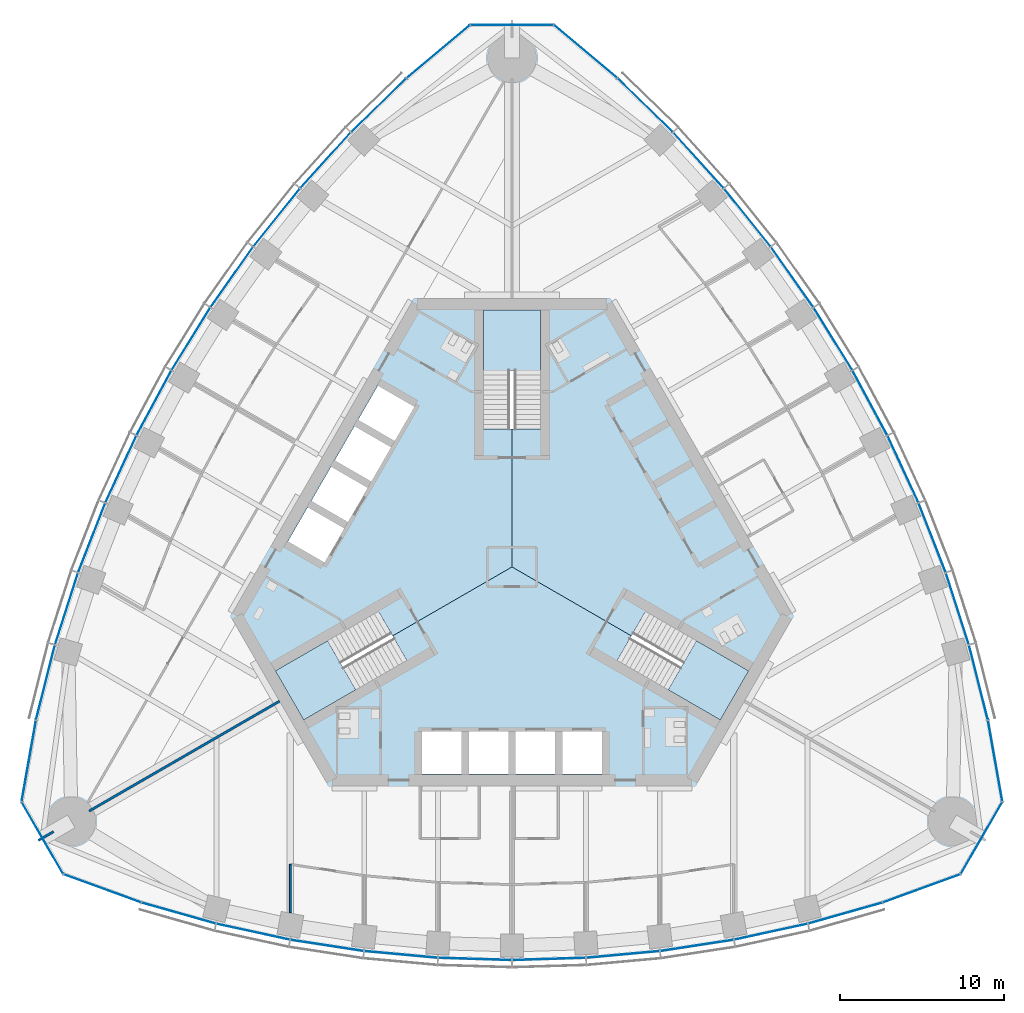
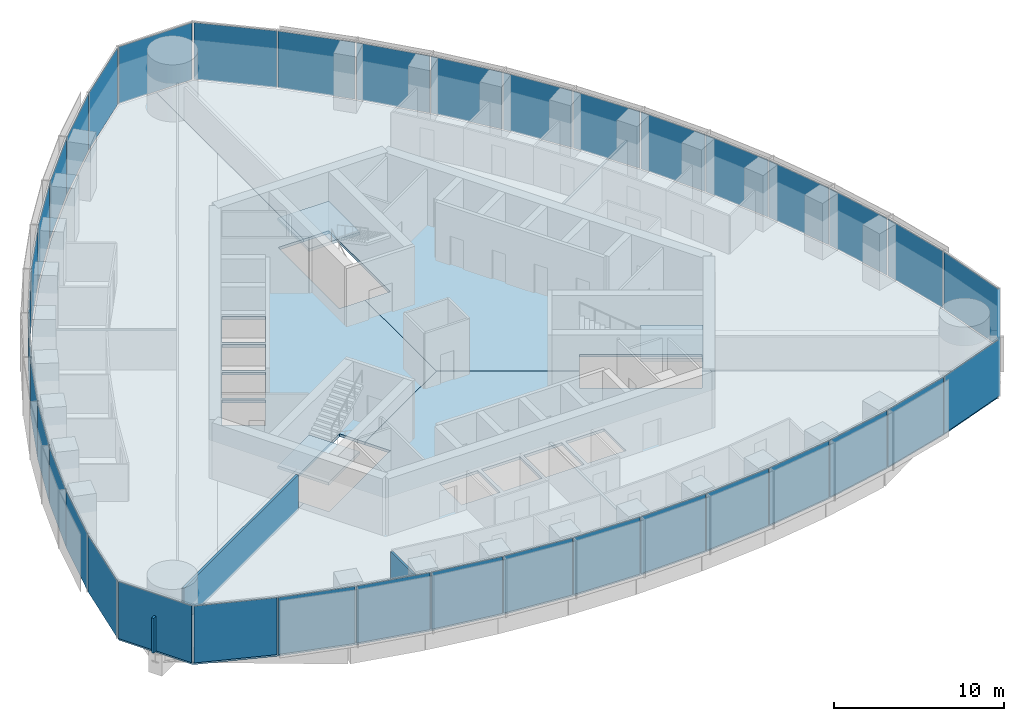
# One storey, part 7 of 16: 39 plates, 6 slabs, 3 walls, 9 elements without a shape of their own.
"""IFC4 building model written with IfcOpenShell, lengths in metres."""

from ifc_helpers import new_model, si_unit, direction, frame, frame_2d, origin, origin_2d, place, context, subcontext, project, spatial, polyline, rectangle, outline, extrude, material, layer, layer_set, type_object, element, aggregate, save


model = new_model("IFC4")

# Units and contexts
model_context = context("Model", 3, precision=1e-05, world=origin(), true_north=direction((0.0, 1.0)))
body_context = subcontext(model_context, "Body", "Model", "MODEL_VIEW")
ifc_project = project(units=[si_unit("LENGTHUNIT", "METRE"), si_unit("AREAUNIT", "SQUARE_METRE"), si_unit("VOLUMEUNIT", "CUBIC_METRE"), si_unit("PLANEANGLEUNIT", "RADIAN"), si_unit("MASSUNIT", "GRAM", prefix="KILO")], contexts=[model_context])

# Site, building, storey
site_placement = place(None, origin())
site = spatial("IfcSite", under=ifc_project, at=site_placement, CompositionType="ELEMENT")
building_placement = place(site_placement, origin())
building = spatial("IfcBuilding", under=site, at=building_placement, Name="Trefoil Bronze Tower", CompositionType="ELEMENT")
storey_placement = place(building_placement, frame((0.0, 0.0, 284.699951171875)))
storey = spatial("IfcBuildingStorey", under=building, at=storey_placement, Name="L65", CompositionType="ELEMENT", Elevation=284.699951171875)

# Curtain wall, plates
ifc_material_1 = material(Name="Tinted solar-control glass", Category="glass")
curtain_wall_type_1 = type_object("IfcCurtainWallType", Name="Bronze office curtain wall", PredefinedType="USERDEFINED", material=ifc_material_1)
curtain_wall_1_placement = place(storey_placement, origin())
curtain_wall_1 = element("IfcCurtainWall", 1, at=curtain_wall_1_placement, inside=storey, type_object=curtain_wall_type_1, Name="CW-A L65 F1", ObjectType="CURTAIN WALL", PredefinedType="USERDEFINED")
ifc_material_2 = material(Name="Tinted solar-control glass", Category="glass")
ifc_layer_1 = layer(ifc_material_2, 0.030029296875)
ifc_layer_set_1 = layer_set([ifc_layer_1], Name="Bronze office curtain wall glass panel")
plate_type_1 = type_object("IfcPlateType", Name="Bronze office curtain wall glass panel", PredefinedType="CURTAIN_PANEL", material=ifc_layer_set_1)
plate_1_placement = place(storey_placement, frame((-20.301513671875, -21.092529296875, 0.0), z_axis=(0.0, 0.0, 1.0), x_axis=(0.962097746943, -0.272704831875, 0.0)))
plate_1 = element("IfcPlate", 2, at=plate_1_placement, type_object=plate_type_1, Name="CW-A L65 F1 panel 1", PredefinedType="CURTAIN_PANEL", context=body_context, shape_type="SweptSolid", body=[
    extrude(rectangle(XDim=4.6474609375, YDim=0.030029296875, at=origin_2d()), origin(), (0.0, 0.0, 1.0), 4.080078125),
])
plate_2_placement = place(storey_placement, frame((-15.771240234375, -22.226318359375, 0.0), z_axis=(0.0, 0.0, 1.0), x_axis=(0.977303138829, -0.211845639168, 0.0)))
plate_2 = element("IfcPlate", 3, at=plate_2_placement, type_object=plate_type_1, Name="CW-A L65 F1 panel 2", PredefinedType="CURTAIN_PANEL", context=body_context, shape_type="SweptSolid", body=[
    extrude(rectangle(XDim=4.5244140625, YDim=0.030029296875, at=origin_2d()), origin(), (0.0, 0.0, 1.0), 4.080078125),
])
plate_3_placement = place(storey_placement, frame((-11.26513671875, -23.0595703125, 0.0), z_axis=(0.0, 0.0, 1.0), x_axis=(0.988485337216, -0.151316681529, 0.0)))
plate_3 = element("IfcPlate", 4, at=plate_3_placement, type_object=plate_type_1, Name="CW-A L65 F1 panel 3", PredefinedType="CURTAIN_PANEL", context=body_context, shape_type="SweptSolid", body=[
    extrude(rectangle(XDim=4.472412109375, YDim=0.030029296875, at=origin_2d()), origin(), (0.0, 0.0, 1.0), 4.080078125),
])
plate_4_placement = place(storey_placement, frame((-6.759033203125, -23.60986328125, 0.0), z_axis=(0.0, 0.0, 1.0), x_axis=(0.99587011625, -0.090789380212, 0.0)))
plate_4 = element("IfcPlate", 5, at=plate_4_placement, type_object=plate_type_1, Name="CW-A L65 F1 panel 4", PredefinedType="CURTAIN_PANEL", context=body_context, shape_type="SweptSolid", body=[
    extrude(rectangle(XDim=4.438720703125, YDim=0.030029296875, at=origin_2d()), origin(), (0.0, 0.0, 1.0), 4.080078125),
])
plate_5_placement = place(storey_placement, frame((-2.2529296875, -23.883544921875, 0.0), z_axis=(0.0, 0.0, 1.0), x_axis=(0.999541969785, -0.030263024264, 0.0)))
plate_5 = element("IfcPlate", 6, at=plate_5_placement, type_object=plate_type_1, Name="CW-A L65 F1 panel 5", PredefinedType="CURTAIN_PANEL", context=body_context, shape_type="SweptSolid", body=[
    extrude(rectangle(XDim=4.422119140625, YDim=0.030029296875, at=origin_2d()), origin(), (0.0, 0.0, 1.0), 4.080078125),
])
plate_6_placement = place(storey_placement, frame((2.2529296875, -23.883544921875, 0.0), z_axis=(0.0, 0.0, 1.0), x_axis=(0.999541969785, 0.030263024264, 0.0)))
plate_6 = element("IfcPlate", 7, at=plate_6_placement, type_object=plate_type_1, Name="CW-A L65 F1 panel 6", PredefinedType="CURTAIN_PANEL", context=body_context, shape_type="SweptSolid", body=[
    extrude(rectangle(XDim=4.422119140625, YDim=0.030029296875, at=origin_2d()), origin(), (0.0, 0.0, 1.0), 4.080078125),
])
plate_7_placement = place(storey_placement, frame((6.759033203125, -23.60986328125, 0.0), z_axis=(0.0, 0.0, 1.0), x_axis=(0.99587011625, 0.090789380212, 0.0)))
plate_7 = element("IfcPlate", 8, at=plate_7_placement, type_object=plate_type_1, Name="CW-A L65 F1 panel 7", PredefinedType="CURTAIN_PANEL", context=body_context, shape_type="SweptSolid", body=[
    extrude(rectangle(XDim=4.438720703125, YDim=0.030029296875, at=origin_2d()), origin(), (0.0, 0.0, 1.0), 4.080078125),
])
plate_8_placement = place(storey_placement, frame((11.26513671875, -23.0595703125, 0.0), z_axis=(0.0, 0.0, 1.0), x_axis=(0.988485337216, 0.151316681529, 0.0)))
plate_8 = element("IfcPlate", 9, at=plate_8_placement, type_object=plate_type_1, Name="CW-A L65 F1 panel 8", PredefinedType="CURTAIN_PANEL", context=body_context, shape_type="SweptSolid", body=[
    extrude(rectangle(XDim=4.472412109375, YDim=0.030029296875, at=origin_2d()), origin(), (0.0, 0.0, 1.0), 4.080078125),
])
plate_9_placement = place(storey_placement, frame((15.771240234375, -22.226318359375, 0.0), z_axis=(0.0, 0.0, 1.0), x_axis=(0.977303138829, 0.211845639168, 0.0)))
plate_9 = element("IfcPlate", 10, at=plate_9_placement, type_object=plate_type_1, Name="CW-A L65 F1 panel 9", PredefinedType="CURTAIN_PANEL", context=body_context, shape_type="SweptSolid", body=[
    extrude(rectangle(XDim=4.5244140625, YDim=0.030029296875, at=origin_2d()), origin(), (0.0, 0.0, 1.0), 4.080078125),
])
plate_10_placement = place(storey_placement, frame((20.301513671875, -21.092529296875, 0.0), z_axis=(0.0, 0.0, 1.0), x_axis=(0.962097746943, 0.272704831875, 0.0)))
plate_10 = element("IfcPlate", 11, at=plate_10_placement, type_object=plate_type_1, Name="CW-A L65 F1 panel 10", PredefinedType="CURTAIN_PANEL", context=body_context, shape_type="SweptSolid", body=[
    extrude(rectangle(XDim=4.6474609375, YDim=0.030029296875, at=origin_2d()), origin(), (0.0, 0.0, 1.0), 4.080078125),
])
aggregate(curtain_wall_1, [plate_1, plate_2, plate_3, plate_4, plate_5, plate_6, plate_7, plate_8, plate_9, plate_10])

curtain_wall_2_placement = place(storey_placement, origin())
curtain_wall_2 = element("IfcCurtainWall", 12, at=curtain_wall_2_placement, inside=storey, type_object=curtain_wall_type_1, Name="CW-A L65 F2", ObjectType="CURTAIN WALL", PredefinedType="USERDEFINED")
plate_11_placement = place(storey_placement, frame((28.417236328125, -7.035400390625, 0.0), z_axis=(0.0, 0.0, 1.0), x_axis=(-0.244879561333, 0.969553505713, 0.0)))
plate_11 = element("IfcPlate", 13, at=plate_11_placement, type_object=plate_type_1, Name="CW-A L65 F2 panel 1", PredefinedType="CURTAIN_PANEL", context=body_context, shape_type="SweptSolid", body=[
    extrude(rectangle(XDim=4.6474609375, YDim=0.030029296875, at=origin_2d()), origin(), (0.0, 0.0, 1.0), 4.080078125),
])
plate_12_placement = place(storey_placement, frame((27.134033203125, -2.545166015625, 0.0), z_axis=(0.0, 0.0, 1.0), x_axis=(-0.305187864214, 0.952292165009, 0.0)))
plate_12 = element("IfcPlate", 14, at=plate_12_placement, type_object=plate_type_1, Name="CW-A L65 F2 panel 2", PredefinedType="CURTAIN_PANEL", context=body_context, shape_type="SweptSolid", body=[
    extrude(rectangle(XDim=4.5244140625, YDim=0.030029296875, at=origin_2d()), origin(), (0.0, 0.0, 1.0), 4.080078125),
])
plate_13_placement = place(storey_placement, frame((25.602783203125, 1.77392578125, 0.0), z_axis=(0.0, 0.0, 1.0), x_axis=(-0.363198578387, 0.931711754062, 0.0)))
plate_13 = element("IfcPlate", 15, at=plate_13_placement, type_object=plate_type_1, Name="CW-A L65 F2 panel 3", PredefinedType="CURTAIN_PANEL", context=body_context, shape_type="SweptSolid", body=[
    extrude(rectangle(XDim=4.472412109375, YDim=0.030029296875, at=origin_2d()), origin(), (0.0, 0.0, 1.0), 4.080078125),
])
plate_14_placement = place(storey_placement, frame((23.826171875, 5.951416015625, 0.0), z_axis=(0.0, 0.0, 1.0), x_axis=(-0.419309148468, 0.907843509649, 0.0)))
plate_14 = element("IfcPlate", 16, at=plate_14_placement, type_object=plate_type_1, Name="CW-A L65 F2 panel 4", PredefinedType="CURTAIN_PANEL", context=body_context, shape_type="SweptSolid", body=[
    extrude(rectangle(XDim=4.438720703125, YDim=0.030029296875, at=origin_2d()), origin(), (0.0, 0.0, 1.0), 4.080078125),
])
plate_15_placement = place(storey_placement, frame((21.81005859375, 9.990478515625, 0.0), z_axis=(0.0, 0.0, 1.0), x_axis=(-0.473562437085, 0.880760250115, 0.0)))
plate_15 = element("IfcPlate", 17, at=plate_15_placement, type_object=plate_type_1, Name="CW-A L65 F2 panel 5", PredefinedType="CURTAIN_PANEL", context=body_context, shape_type="SweptSolid", body=[
    extrude(rectangle(XDim=4.422119140625, YDim=0.030029296875, at=origin_2d()), origin(), (0.0, 0.0, 1.0), 4.080078125),
])
plate_16_placement = place(storey_placement, frame((19.55712890625, 13.892822265625, 0.0), z_axis=(0.0, 0.0, 1.0), x_axis=(-0.525979532701, 0.850497225851, 0.0)))
plate_16 = element("IfcPlate", 18, at=plate_16_placement, type_object=plate_type_1, Name="CW-A L65 F2 panel 6", PredefinedType="CURTAIN_PANEL", context=body_context, shape_type="SweptSolid", body=[
    extrude(rectangle(XDim=4.422119140625, YDim=0.030029296875, at=origin_2d()), origin(), (0.0, 0.0, 1.0), 4.080078125),
])
plate_17_placement = place(storey_placement, frame((17.067138671875, 17.658447265625, 0.0), z_axis=(0.0, 0.0, 1.0), x_axis=(-0.576560967783, 0.817054129437, 0.0)))
plate_17 = element("IfcPlate", 19, at=plate_17_placement, type_object=plate_type_1, Name="CW-A L65 F2 panel 7", PredefinedType="CURTAIN_PANEL", context=body_context, shape_type="SweptSolid", body=[
    extrude(rectangle(XDim=4.438720703125, YDim=0.030029296875, at=origin_2d()), origin(), (0.0, 0.0, 1.0), 4.080078125),
])
plate_18_placement = place(storey_placement, frame((14.337646484375, 21.28564453125, 0.0), z_axis=(0.0, 0.0, 1.0), x_axis=(-0.625286758829, 0.780395072533, 0.0)))
plate_18 = element("IfcPlate", 20, at=plate_18_placement, type_object=plate_type_1, Name="CW-A L65 F2 panel 8", PredefinedType="CURTAIN_PANEL", context=body_context, shape_type="SweptSolid", body=[
    extrude(rectangle(XDim=4.472412109375, YDim=0.030029296875, at=origin_2d()), origin(), (0.0, 0.0, 1.0), 4.080078125),
])
plate_19_placement = place(storey_placement, frame((11.36279296875, 24.771484375, 0.0), z_axis=(0.0, 0.0, 1.0), x_axis=(-0.672115274615, 0.74044652584, 0.0)))
plate_19 = element("IfcPlate", 21, at=plate_19_placement, type_object=plate_type_1, Name="CW-A L65 F2 panel 9", PredefinedType="CURTAIN_PANEL", context=body_context, shape_type="SweptSolid", body=[
    extrude(rectangle(XDim=4.5244140625, YDim=0.030029296875, at=origin_2d()), origin(), (0.0, 0.0, 1.0), 4.080078125),
])
plate_20_placement = place(storey_placement, frame((8.115966796875, 28.127685546875, 0.0), z_axis=(0.0, 0.0, 1.0), x_axis=(-0.71721818561, 0.696848673839, 0.0)))
plate_20 = element("IfcPlate", 22, at=plate_20_placement, type_object=plate_type_1, Name="CW-A L65 F2 panel 10", PredefinedType="CURTAIN_PANEL", context=body_context, shape_type="SweptSolid", body=[
    extrude(rectangle(XDim=4.6474609375, YDim=0.030029296875, at=origin_2d()), origin(), (0.0, 0.0, 1.0), 4.080078125),
])
aggregate(curtain_wall_2, [plate_11, plate_12, plate_13, plate_14, plate_15, plate_16, plate_17, plate_18, plate_19, plate_20])

curtain_wall_3_placement = place(storey_placement, origin())
curtain_wall_3 = element("IfcCurtainWall", 23, at=curtain_wall_3_placement, inside=storey, type_object=curtain_wall_type_1, Name="CW-A L65 F3", ObjectType="CURTAIN WALL", PredefinedType="USERDEFINED")
plate_21_placement = place(storey_placement, frame((-8.115966796875, 28.127685546875, 0.0), z_axis=(0.0, 0.0, 1.0), x_axis=(-0.71721818561, -0.696848673839, 0.0)))
plate_21 = element("IfcPlate", 24, at=plate_21_placement, type_object=plate_type_1, Name="CW-A L65 F3 panel 1", PredefinedType="CURTAIN_PANEL", context=body_context, shape_type="SweptSolid", body=[
    extrude(rectangle(XDim=4.6474609375, YDim=0.030029296875, at=origin_2d()), origin(), (0.0, 0.0, 1.0), 4.080078125),
])
plate_22_placement = place(storey_placement, frame((-11.36279296875, 24.771484375, 0.0), z_axis=(0.0, 0.0, 1.0), x_axis=(-0.672115274615, -0.74044652584, 0.0)))
plate_22 = element("IfcPlate", 25, at=plate_22_placement, type_object=plate_type_1, Name="CW-A L65 F3 panel 2", PredefinedType="CURTAIN_PANEL", context=body_context, shape_type="SweptSolid", body=[
    extrude(rectangle(XDim=4.5244140625, YDim=0.030029296875, at=origin_2d()), origin(), (0.0, 0.0, 1.0), 4.080078125),
])
plate_23_placement = place(storey_placement, frame((-14.337646484375, 21.28564453125, 0.0), z_axis=(0.0, 0.0, 1.0), x_axis=(-0.625286758829, -0.780395072533, 0.0)))
plate_23 = element("IfcPlate", 26, at=plate_23_placement, type_object=plate_type_1, Name="CW-A L65 F3 panel 3", PredefinedType="CURTAIN_PANEL", context=body_context, shape_type="SweptSolid", body=[
    extrude(rectangle(XDim=4.472412109375, YDim=0.030029296875, at=origin_2d()), origin(), (0.0, 0.0, 1.0), 4.080078125),
])
plate_24_placement = place(storey_placement, frame((-17.067138671875, 17.658447265625, 0.0), z_axis=(0.0, 0.0, 1.0), x_axis=(-0.576560967783, -0.817054129437, 0.0)))
plate_24 = element("IfcPlate", 27, at=plate_24_placement, type_object=plate_type_1, Name="CW-A L65 F3 panel 4", PredefinedType="CURTAIN_PANEL", context=body_context, shape_type="SweptSolid", body=[
    extrude(rectangle(XDim=4.438720703125, YDim=0.030029296875, at=origin_2d()), origin(), (0.0, 0.0, 1.0), 4.080078125),
])
plate_25_placement = place(storey_placement, frame((-19.55712890625, 13.892822265625, 0.0), z_axis=(0.0, 0.0, 1.0), x_axis=(-0.525979532701, -0.850497225851, 0.0)))
plate_25 = element("IfcPlate", 28, at=plate_25_placement, type_object=plate_type_1, Name="CW-A L65 F3 panel 5", PredefinedType="CURTAIN_PANEL", context=body_context, shape_type="SweptSolid", body=[
    extrude(rectangle(XDim=4.422119140625, YDim=0.030029296875, at=origin_2d()), origin(), (0.0, 0.0, 1.0), 4.080078125),
])
plate_26_placement = place(storey_placement, frame((-21.81005859375, 9.990478515625, 0.0), z_axis=(0.0, 0.0, 1.0), x_axis=(-0.473562437085, -0.880760250115, 0.0)))
plate_26 = element("IfcPlate", 29, at=plate_26_placement, type_object=plate_type_1, Name="CW-A L65 F3 panel 6", PredefinedType="CURTAIN_PANEL", context=body_context, shape_type="SweptSolid", body=[
    extrude(rectangle(XDim=4.422119140625, YDim=0.030029296875, at=origin_2d()), origin(), (0.0, 0.0, 1.0), 4.080078125),
])
plate_27_placement = place(storey_placement, frame((-23.826171875, 5.951416015625, 0.0), z_axis=(0.0, 0.0, 1.0), x_axis=(-0.419309148468, -0.907843509649, 0.0)))
plate_27 = element("IfcPlate", 30, at=plate_27_placement, type_object=plate_type_1, Name="CW-A L65 F3 panel 7", PredefinedType="CURTAIN_PANEL", context=body_context, shape_type="SweptSolid", body=[
    extrude(rectangle(XDim=4.438720703125, YDim=0.030029296875, at=origin_2d()), origin(), (0.0, 0.0, 1.0), 4.080078125),
])
plate_28_placement = place(storey_placement, frame((-25.602783203125, 1.77392578125, 0.0), z_axis=(0.0, 0.0, 1.0), x_axis=(-0.363198578387, -0.931711754062, 0.0)))
plate_28 = element("IfcPlate", 31, at=plate_28_placement, type_object=plate_type_1, Name="CW-A L65 F3 panel 8", PredefinedType="CURTAIN_PANEL", context=body_context, shape_type="SweptSolid", body=[
    extrude(rectangle(XDim=4.472412109375, YDim=0.030029296875, at=origin_2d()), origin(), (0.0, 0.0, 1.0), 4.080078125),
])
plate_29_placement = place(storey_placement, frame((-27.134033203125, -2.545166015625, 0.0), z_axis=(0.0, 0.0, 1.0), x_axis=(-0.305187864214, -0.952292165009, 0.0)))
plate_29 = element("IfcPlate", 32, at=plate_29_placement, type_object=plate_type_1, Name="CW-A L65 F3 panel 9", PredefinedType="CURTAIN_PANEL", context=body_context, shape_type="SweptSolid", body=[
    extrude(rectangle(XDim=4.5244140625, YDim=0.030029296875, at=origin_2d()), origin(), (0.0, 0.0, 1.0), 4.080078125),
])
plate_30_placement = place(storey_placement, frame((-28.417236328125, -7.035400390625, 0.0), z_axis=(0.0, 0.0, 1.0), x_axis=(-0.244879561333, -0.969553505713, 0.0)))
plate_30 = element("IfcPlate", 33, at=plate_30_placement, type_object=plate_type_1, Name="CW-A L65 F3 panel 10", PredefinedType="CURTAIN_PANEL", context=body_context, shape_type="SweptSolid", body=[
    extrude(rectangle(XDim=4.6474609375, YDim=0.030029296875, at=origin_2d()), origin(), (0.0, 0.0, 1.0), 4.080078125),
])
aggregate(curtain_wall_3, [plate_21, plate_22, plate_23, plate_24, plate_25, plate_26, plate_27, plate_28, plate_29, plate_30])

ifc_material_3 = material(Name="Tinted solar-control glass", Category="glass")
curtain_wall_type_2 = type_object("IfcCurtainWallType", Name="Bronze rounded corner curtain wall", PredefinedType="USERDEFINED", material=ifc_material_3)
curtain_wall_4_placement = place(storey_placement, origin())
curtain_wall_4 = element("IfcCurtainWall", 34, at=curtain_wall_4_placement, inside=storey, type_object=curtain_wall_type_2, Name="CW-B L65 K1", ObjectType="CURTAIN WALL", PredefinedType="USERDEFINED")
ifc_material_4 = material(Name="Tinted solar-control glass", Category="glass")
ifc_layer_2 = layer(ifc_material_4, 0.030029296875)
ifc_layer_set_2 = layer_set([ifc_layer_2], Name="Bronze rounded corner curtain wall glass panel")
plate_type_2 = type_object("IfcPlateType", Name="Bronze rounded corner curtain wall glass panel", PredefinedType="CURTAIN_PANEL", material=ifc_layer_set_2)
plate_31_placement = place(storey_placement, frame((24.939453125, -19.587646484375, 0.0), z_axis=(0.0, 0.0, 1.0), x_axis=(0.939692620786, 0.342020143326, 0.0)))
plate_31 = element("IfcPlate", 35, at=plate_31_placement, type_object=plate_type_2, Name="CW-B L65 K1 panel 1", PredefinedType="CURTAIN_PANEL", context=body_context, shape_type="SweptSolid", body=[
    extrude(rectangle(XDim=4.956298828125, YDim=0.030029296875, at=origin_2d()), origin(), (0.0, 0.0, 1.0), 4.080078125),
])
plate_32_placement = place(storey_placement, frame((28.602783203125, -16.513916015625, 0.0), z_axis=(0.0, 0.0, 1.0), x_axis=(0.5, 0.866025403784, 0.0)))
plate_32 = element("IfcPlate", 36, at=plate_32_placement, type_object=plate_type_2, Name="CW-B L65 K1 panel 2", PredefinedType="CURTAIN_PANEL", context=body_context, shape_type="SweptSolid", body=[
    extrude(rectangle(XDim=4.956298828125, YDim=0.030029296875, at=origin_2d()), origin(), (0.0, 0.0, 1.0), 4.080078125),
])
plate_33_placement = place(storey_placement, frame((29.43310546875, -11.80419921875, 0.0), z_axis=(0.0, 0.0, 1.0), x_axis=(-0.173648177667, 0.984807753012, 0.0)))
plate_33 = element("IfcPlate", 37, at=plate_33_placement, type_object=plate_type_2, Name="CW-B L65 K1 panel 3", PredefinedType="CURTAIN_PANEL", context=body_context, shape_type="SweptSolid", body=[
    extrude(rectangle(XDim=4.956298828125, YDim=0.030029296875, at=origin_2d()), origin(), (0.0, 0.0, 1.0), 4.080078125),
])
aggregate(curtain_wall_4, [plate_31, plate_32, plate_33])

curtain_wall_5_placement = place(storey_placement, origin())
curtain_wall_5 = element("IfcCurtainWall", 38, at=curtain_wall_5_placement, inside=storey, type_object=curtain_wall_type_2, Name="CW-B L65 K2", ObjectType="CURTAIN WALL", PredefinedType="USERDEFINED")
plate_34_placement = place(storey_placement, frame((4.493896484375, 31.39208984375, 0.0), z_axis=(0.0, 0.0, 1.0), x_axis=(-0.766044443119, 0.642787609687, 0.0)))
plate_34 = element("IfcPlate", 39, at=plate_34_placement, type_object=plate_type_2, Name="CW-B L65 K2 panel 1", PredefinedType="CURTAIN_PANEL", context=body_context, shape_type="SweptSolid", body=[
    extrude(rectangle(XDim=4.956298828125, YDim=0.030029296875, at=origin_2d()), origin(), (0.0, 0.0, 1.0), 4.080078125),
])
plate_35_placement = place(storey_placement, frame((0.0, 33.027587890625, 0.0), z_axis=(0.0, 0.0, 1.0), x_axis=(-1.0, 0.0, 0.0)))
plate_35 = element("IfcPlate", 40, at=plate_35_placement, type_object=plate_type_2, Name="CW-B L65 K2 panel 2", PredefinedType="CURTAIN_PANEL", context=body_context, shape_type="SweptSolid", body=[
    extrude(rectangle(XDim=4.956298828125, YDim=0.030029296875, at=origin_2d()), origin(), (0.0, 0.0, 1.0), 4.080078125),
])
plate_36_placement = place(storey_placement, frame((-4.493896484375, 31.39208984375, 0.0), z_axis=(0.0, 0.0, 1.0), x_axis=(-0.766044443119, -0.642787609687, 0.0)))
plate_36 = element("IfcPlate", 41, at=plate_36_placement, type_object=plate_type_2, Name="CW-B L65 K2 panel 3", PredefinedType="CURTAIN_PANEL", context=body_context, shape_type="SweptSolid", body=[
    extrude(rectangle(XDim=4.956298828125, YDim=0.030029296875, at=origin_2d()), origin(), (0.0, 0.0, 1.0), 4.080078125),
])
aggregate(curtain_wall_5, [plate_34, plate_35, plate_36])

curtain_wall_6_placement = place(storey_placement, origin())
curtain_wall_6 = element("IfcCurtainWall", 42, at=curtain_wall_6_placement, inside=storey, type_object=curtain_wall_type_2, Name="CW-B L65 K3", ObjectType="CURTAIN WALL", PredefinedType="USERDEFINED")
plate_37_placement = place(storey_placement, frame((-29.43310546875, -11.80419921875, 0.0), z_axis=(0.0, 0.0, 1.0), x_axis=(-0.173648177667, -0.984807753012, 0.0)))
plate_37 = element("IfcPlate", 43, at=plate_37_placement, type_object=plate_type_2, Name="CW-B L65 K3 panel 1", PredefinedType="CURTAIN_PANEL", context=body_context, shape_type="SweptSolid", body=[
    extrude(rectangle(XDim=4.956298828125, YDim=0.030029296875, at=origin_2d()), origin(), (0.0, 0.0, 1.0), 4.080078125),
])
plate_38_placement = place(storey_placement, frame((-28.602783203125, -16.513916015625, 0.0), z_axis=(0.0, 0.0, 1.0), x_axis=(0.5, -0.866025403784, 0.0)))
plate_38 = element("IfcPlate", 44, at=plate_38_placement, type_object=plate_type_2, Name="CW-B L65 K3 panel 2", PredefinedType="CURTAIN_PANEL", context=body_context, shape_type="SweptSolid", body=[
    extrude(rectangle(XDim=4.956298828125, YDim=0.030029296875, at=origin_2d()), origin(), (0.0, 0.0, 1.0), 4.080078125),
])
plate_39_placement = place(storey_placement, frame((-24.939453125, -19.587646484375, 0.0), z_axis=(0.0, 0.0, 1.0), x_axis=(0.939692620786, -0.342020143326, 0.0)))
plate_39 = element("IfcPlate", 45, at=plate_39_placement, type_object=plate_type_2, Name="CW-B L65 K3 panel 3", PredefinedType="CURTAIN_PANEL", context=body_context, shape_type="SweptSolid", body=[
    extrude(rectangle(XDim=4.956298828125, YDim=0.030029296875, at=origin_2d()), origin(), (0.0, 0.0, 1.0), 4.080078125),
])
aggregate(curtain_wall_6, [plate_37, plate_38, plate_39])

# Slabs
ifc_material_5 = material(Name="Concrete B30", Category="concrete")
ifc_layer_3 = layer(ifc_material_5, 0.199951171875)
ifc_layer_set_3 = layer_set([ifc_layer_3], Name="Floor slab 200")
slab_type_1 = type_object("IfcSlabType", Name="Floor slab 200", PredefinedType="FLOOR", material=ifc_layer_set_3)
slab_1_placement = place(storey_placement, frame((0.0, 0.0, -0.199951171875)))
element("IfcSlab", 46, at=slab_1_placement, inside=storey, type_object=slab_type_1, Name="Floor slab L65 face 1", PredefinedType="FLOOR", context=body_context, shape_type="SweptSolid", body=[
    extrude(outline(polyline([(13.5, -22.6162109375), (9.0, -23.30517578125), (4.5, -23.71533203125), (0.0, -23.8515625), (-4.5, -23.71533203125), (-9.0, -23.30517578125), (-13.5, -22.6162109375), (-18.0, -21.640869140625), (-22.54833984375, -20.3515625), (-27.261962890625, -18.635986328125), (-28.51611328125, -16.4638671875), (-13.510009765625, -7.800048828125), (-12.6474609375, -9.2939453125), (-6.412109375, -5.69384765625), (-7.274658203125, -4.199951171875), (0.0, 0.0), (7.274658203125, -4.199951171875), (6.412109375, -5.69384765625), (12.6474609375, -9.2939453125), (13.510009765625, -7.800048828125), (28.51611328125, -16.4638671875), (27.261962890625, -18.635986328125), (22.54833984375, -20.3515625), (18.0, -21.640869140625), (13.5, -22.6162109375)]), holes=[polyline([(-5.574951171875, -10.02490234375), (-2.97509765625, -10.02490234375), (-2.97509765625, -12.60009765625), (-5.574951171875, -12.60009765625), (-5.574951171875, -10.02490234375)]), polyline([(-2.72509765625, -10.02490234375), (-0.125, -10.02490234375), (-0.125, -12.60009765625), (-2.72509765625, -12.60009765625), (-2.72509765625, -10.02490234375)]), polyline([(0.125, -10.02490234375), (2.72509765625, -10.02490234375), (2.72509765625, -12.60009765625), (0.125, -12.60009765625), (0.125, -10.02490234375)]), polyline([(2.97509765625, -10.02490234375), (5.574951171875, -10.02490234375), (5.574951171875, -12.60009765625), (2.97509765625, -12.60009765625), (2.97509765625, -10.02490234375)])]), origin(), (0.0, 0.0, 1.0), 0.199951171875),
])
slab_2_placement = place(storey_placement, frame((0.0, 0.0, -0.199951171875)))
element("IfcSlab", 47, at=slab_2_placement, inside=storey, type_object=slab_type_1, Name="Floor slab L65 face 2", PredefinedType="FLOOR", context=body_context, shape_type="SweptSolid", body=[
    extrude(outline(polyline([(12.836181640625, 22.99951171875), (15.682861328125, 19.44677734375), (18.2880859375, 15.7548828125), (20.656005859375, 11.92578125), (22.7880859375, 7.96044921875), (24.682861328125, 3.8583984375), (26.336181640625, -0.38330078125), (27.741455078125, -4.76806640625), (28.899169921875, -9.3515625), (29.770263671875, -14.291748046875), (28.51611328125, -16.4638671875), (13.510009765625, -7.800048828125), (14.37255859375, -6.30615234375), (8.13720703125, -2.7060546875), (7.274658203125, -4.199951171875), (0.0, 0.0), (0.0, 8.39990234375), (1.72509765625, 8.39990234375), (1.72509765625, 15.60009765625), (0.0, 15.60009765625), (0.0, 32.927490234375), (2.508056640625, 32.927490234375), (6.350830078125, 29.703125), (9.741455078125, 26.408935546875), (12.836181640625, 22.99951171875)])), origin(), (0.0, 0.0, 1.0), 0.199951171875),
])
slab_3_placement = place(storey_placement, frame((0.0, 0.0, -0.199951171875)))
element("IfcSlab", 48, at=slab_3_placement, inside=storey, type_object=slab_type_1, Name="Floor slab L65 face 3", PredefinedType="FLOOR", context=body_context, shape_type="SweptSolid", body=[
    extrude(outline(polyline([(-26.336181640625, -0.38330078125), (-24.682861328125, 3.8583984375), (-22.7880859375, 7.96044921875), (-20.656005859375, 11.92578125), (-18.2880859375, 15.7548828125), (-15.682861328125, 19.44677734375), (-12.836181640625, 22.99951171875), (-9.741455078125, 26.408935546875), (-6.350830078125, 29.703125), (-2.508056640625, 32.927490234375), (0.0, 32.927490234375), (0.0, 15.60009765625), (-1.72509765625, 15.60009765625), (-1.72509765625, 8.39990234375), (0.0, 8.39990234375), (0.0, 0.0), (-7.274658203125, -4.199951171875), (-8.13720703125, -2.7060546875), (-14.37255859375, -6.30615234375), (-13.510009765625, -7.800048828125), (-28.51611328125, -16.4638671875), (-29.770263671875, -14.291748046875), (-28.899169921875, -9.3515625), (-27.741455078125, -4.76806640625), (-26.336181640625, -0.38330078125)]), holes=[polyline([(-5.894287109375, 9.840576171875), (-7.1943359375, 7.5888671875), (-9.42431640625, 8.87646484375), (-8.12451171875, 11.128173828125), (-5.894287109375, 9.840576171875)]), polyline([(-7.3193359375, 7.372314453125), (-8.619384765625, 5.120849609375), (-10.849365234375, 6.408203125), (-9.54931640625, 8.659912109375), (-7.3193359375, 7.372314453125)]), polyline([(-8.744384765625, 4.904296875), (-10.04443359375, 2.652587890625), (-12.2744140625, 3.940185546875), (-10.974365234375, 6.191650390625), (-8.744384765625, 4.904296875)]), polyline([(-10.16943359375, 2.43603515625), (-11.469482421875, 0.184326171875), (-13.699462890625, 1.471923828125), (-12.3994140625, 3.7236328125), (-10.16943359375, 2.43603515625)])]), origin(), (0.0, 0.0, 1.0), 0.199951171875),
])

# Stair, slab
ifc_material_6 = material(Name="Precast concrete B80", Category="concrete")
stair_type = type_object("IfcStairType", Name="Exit stair 26 risers", PredefinedType="HALF_TURN_STAIR", material=ifc_material_6)
stair_1_placement = place(storey_placement, origin())
stair_1 = element("IfcStair", 49, at=stair_1_placement, inside=storey, type_object=stair_type, Name="Stair ST1 L65", PredefinedType="HALF_TURN_STAIR")
ifc_material_7 = material(Name="Concrete B30", Category="concrete")
ifc_layer_4 = layer(ifc_material_7, 0.199951171875)
ifc_layer_set_4 = layer_set([ifc_layer_4], Name="Stair landing 200")
slab_type_2 = type_object("IfcSlabType", Name="Stair landing 200", PredefinedType="LANDING", material=ifc_layer_set_4)
slab_4_placement = place(storey_placement, frame((0.0, 0.0, 1.900146484375)))
slab_4 = element("IfcSlab", 50, at=slab_4_placement, type_object=slab_type_2, Name="ST1 landing 1", PredefinedType="LANDING", context=body_context, shape_type="SweptSolid", body=[
    extrude(outline(polyline([(9.512451171875, -7.48388671875), (12.69091796875, -9.31884765625), (14.415771484375, -6.3310546875), (11.237548828125, -4.49609375), (9.512451171875, -7.48388671875)])), origin(), (0.0, 0.0, 1.0), 0.199951171875),
])
aggregate(stair_1, [slab_4])

stair_2_placement = place(storey_placement, origin())
stair_2 = element("IfcStair", 51, at=stair_2_placement, inside=storey, type_object=stair_type, Name="Stair ST2 L65", PredefinedType="HALF_TURN_STAIR")
slab_5_placement = place(storey_placement, frame((0.0, 0.0, 1.900146484375)))
slab_5 = element("IfcSlab", 52, at=slab_5_placement, type_object=slab_type_2, Name="ST2 landing 1", PredefinedType="LANDING", context=body_context, shape_type="SweptSolid", body=[
    extrude(outline(polyline([(1.72509765625, 11.97998046875), (1.72509765625, 15.64990234375), (-1.72509765625, 15.64990234375), (-1.72509765625, 11.97998046875), (1.72509765625, 11.97998046875)])), origin(), (0.0, 0.0, 1.0), 0.199951171875),
])
aggregate(stair_2, [slab_5])

stair_3_placement = place(storey_placement, origin())
stair_3 = element("IfcStair", 53, at=stair_3_placement, inside=storey, type_object=stair_type, Name="Stair ST3 L65", PredefinedType="HALF_TURN_STAIR")
slab_6_placement = place(storey_placement, frame((0.0, 0.0, 1.900146484375)))
slab_6 = element("IfcSlab", 54, at=slab_6_placement, type_object=slab_type_2, Name="ST3 landing 1", PredefinedType="LANDING", context=body_context, shape_type="SweptSolid", body=[
    extrude(outline(polyline([(-11.237548828125, -4.49609375), (-14.415771484375, -6.3310546875), (-12.69091796875, -9.31884765625), (-9.512451171875, -7.48388671875), (-11.237548828125, -4.49609375)])), origin(), (0.0, 0.0, 1.0), 0.199951171875),
])
aggregate(stair_3, [slab_6])

# Walls
ifc_material_8 = material(Name="Glazed partition", Category="glass")
ifc_layer_5 = layer(ifc_material_8, 0.1201171875)
ifc_layer_set_5 = layer_set([ifc_layer_5], Name="Glazed partition 120")
wall_type_1 = type_object("IfcWallType", Name="Glazed partition 120", PredefinedType="PARTITIONING", material=ifc_layer_set_5)
wall_1_placement = place(storey_placement, frame((-13.5, -18.1162109375, 0.0), z_axis=(0.0, 0.0, 1.0), x_axis=(0.0, -1.0, 0.0)))
element("IfcWall", 55, at=wall_1_placement, inside=storey, type_object=wall_type_1, Name="Partition F1 L65", PredefinedType="PARTITIONING", context=body_context, shape_type="SweptSolid", body=[
    extrude(rectangle(XDim=2.9443359375, YDim=0.1201171875, at=frame_2d((1.47216796875, 0.0))), origin(), (0.0, 0.0, 1.0), 2.800048828125),
])
ifc_material_9 = material(Name="Gypsum board on steel studs", Category="steel")
ifc_layer_6 = layer(ifc_material_9, 0.14990234375)
ifc_layer_set_6 = layer_set([ifc_layer_6], Name="Party wall 150")
wall_type_2 = type_object("IfcWallType", Name="Party wall 150", PredefinedType="PARTITIONING", material=ifc_layer_set_6)
wall_2_placement = place(storey_placement, frame((-14.159423828125, -8.175048828125, 0.0), z_axis=(0.0, 0.0, 1.0), x_axis=(-0.866026905467, -0.499997399001, 0.0)))
element("IfcWall", 56, at=wall_2_placement, inside=storey, type_object=wall_type_2, Name="Party wall K3 L65", PredefinedType="PARTITIONING", context=body_context, shape_type="SweptSolid", body=[
    extrude(rectangle(XDim=13.39990234375, YDim=0.14990234375, at=frame_2d((6.699951171875, 0.0))), origin(), (0.0, 0.0, 1.0), 2.5),
])
wall_3_placement = place(storey_placement, frame((-27.92919921875, -16.125, 0.0), z_axis=(0.0, 0.0, 1.0), x_axis=(-0.866086810508, -0.499893625349, 0.0)))
element("IfcWall", 57, at=wall_3_placement, inside=storey, type_object=wall_type_2, Name="Party wall K3 L65", PredefinedType="PARTITIONING", context=body_context, shape_type="SweptSolid", body=[
    extrude(rectangle(XDim=1.070068359375, YDim=0.14990234375, at=frame_2d((0.53515625, 0.0))), origin(), (0.0, 0.0, 1.0), 2.5),
])

save(model, "model.ifc")
